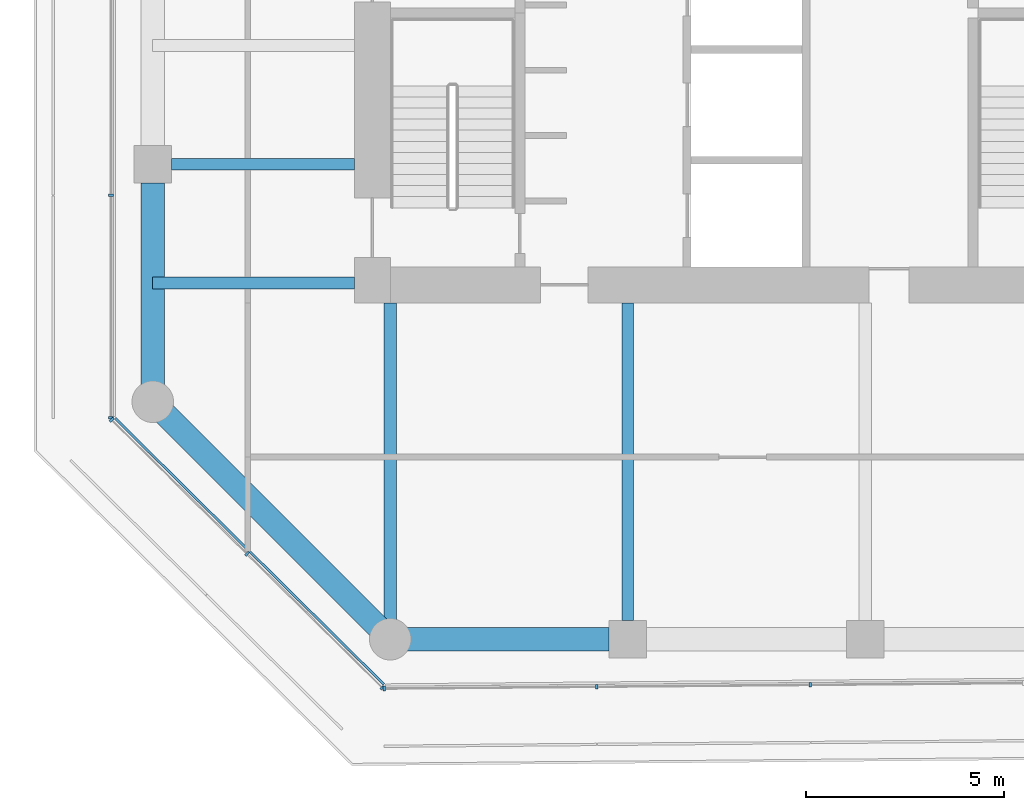
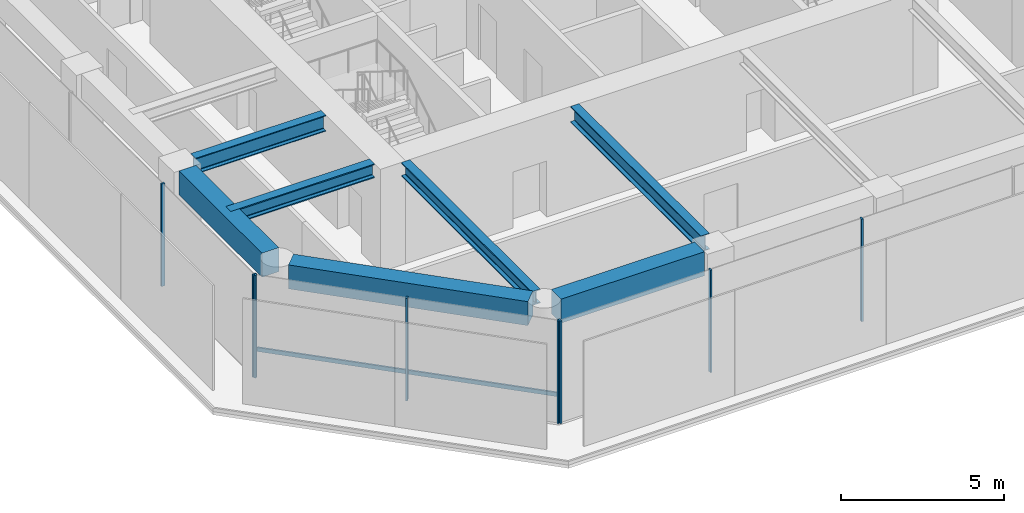
# One storey, part 2 of 28: 9 members, 7 beams, 3 elements without a shape of their own.
"""IFC4 building model written with IfcOpenShell, lengths in metres."""

from ifc_helpers import new_model, si_unit, direction, frame, origin, origin_2d, place, context, subcontext, project, spatial, rectangle, i_section, extrude, material, layer, layer_set, material_profile, profile_set, type_object, element, aggregate, save


model = new_model("IFC4")

# Units and contexts
model_context = context("Model", 3, precision=1e-05, world=origin(), true_north=direction((0.0, 1.0)))
body_context = subcontext(model_context, "Body", "Model", "MODEL_VIEW")
ifc_project = project(units=[si_unit("LENGTHUNIT", "METRE"), si_unit("AREAUNIT", "SQUARE_METRE"), si_unit("VOLUMEUNIT", "CUBIC_METRE"), si_unit("PLANEANGLEUNIT", "RADIAN"), si_unit("MASSUNIT", "GRAM", prefix="KILO")], contexts=[model_context])

# Site, building, storey
site_placement = place(None, origin())
site = spatial("IfcSite", under=ifc_project, at=site_placement, CompositionType="ELEMENT")
building_placement = place(site_placement, origin())
building = spatial("IfcBuilding", under=site, at=building_placement, Name="Welwitschia Terrace Campus", CompositionType="ELEMENT")
storey_placement = place(building_placement, frame((0.0, 0.0, 54.199951171875)))
storey = spatial("IfcBuildingStorey", under=building, at=storey_placement, Name="L12", CompositionType="ELEMENT", Elevation=54.199951171875)

# Beams
ifc_material_1 = material(Name="Steel S355", Category="steel")
ifc_material_profile_1 = material_profile(ifc_material_1, i_section(OverallWidth=0.305908203125, OverallDepth=0.52392578125, WebThickness=0.02099609375, FlangeThickness=0.0400390625, FilletRadius=0.027099609375, at=origin_2d()))
ifc_profile_set_1 = profile_set([ifc_material_profile_1], Name="Steel S355")
beam_type_1 = type_object("IfcBeamType", Name="Interior girder HE 500 M", PredefinedType="BEAM", material=ifc_profile_set_1)
beam_1_placement = place(storey_placement, frame((-0.010009765625, 5.0, 3.588134765625), z_axis=(1.0, 0.0, 0.0), x_axis=(0.0, 1.0, 0.0)))
element("IfcBeam", 1, at=beam_1_placement, inside=storey, type_object=beam_type_1, Name="Girder GB2", PredefinedType="BEAM", context=body_context, shape_type="SweptSolid", body=[
    extrude(i_section(OverallWidth=0.305908203125, OverallDepth=0.52392578125, WebThickness=0.02099609375, FlangeThickness=0.0400390625, FilletRadius=0.027099609375, at=origin_2d()), origin(), (0.0, 0.0, 1.0), 5.109130859375),
])
beam_2_placement = place(storey_placement, frame((6.0, -3.507080078125, 3.588134765625), z_axis=(0.0, 1.0, 0.0), x_axis=(-1.0, 0.0, 0.0)))
element("IfcBeam", 2, at=beam_2_placement, inside=storey, type_object=beam_type_1, Name="Girder GB2", PredefinedType="BEAM", context=body_context, shape_type="SweptSolid", body=[
    extrude(i_section(OverallWidth=0.305908203125, OverallDepth=0.52392578125, WebThickness=0.02099609375, FlangeThickness=0.0400390625, FilletRadius=0.027099609375, at=origin_2d()), origin(), (0.0, 0.0, 1.0), 8.006103515625),
])

# Curtain wall, members
ifc_material_2 = material(Name="Bronze anodised aluminium", Category="aluminium")
ifc_layer = layer(ifc_material_2, 0.1201171875)
ifc_layer_set = layer_set([ifc_layer], Name="Bronze anodised aluminium")
curtain_wall_type = type_object("IfcCurtainWallType", Name="Curtain wall CW2 tower 6000", PredefinedType="NOTDEFINED", material=ifc_layer_set)
curtain_wall_1_placement = place(storey_placement, origin())
curtain_wall_1 = element("IfcCurtainWall", 3, at=curtain_wall_1_placement, inside=storey, type_object=curtain_wall_type, Name="CW L12.1.0", PredefinedType="NOTDEFINED")
ifc_material_3 = material(Name="Bronze anodised aluminium", Category="aluminium")
ifc_material_profile_2 = material_profile(ifc_material_3, rectangle(XDim=0.1201171875, YDim=0.06005859375, at=origin_2d()))
ifc_profile_set_2 = profile_set([ifc_material_profile_2], Name="Bronze anodised aluminium")
member_type_1 = type_object("IfcMemberType", Name="Mullion 60x120", PredefinedType="MULLION", material=ifc_profile_set_2)
member_1_placement = place(storey_placement, frame((-1.05810546875, 7.211669921875, 0.0), z_axis=(0.0, 0.0, 1.0), x_axis=(1.0, 0.0, 0.0)))
member_1 = element("IfcMember", 4, at=member_1_placement, type_object=member_type_1, Name="Mullion L12.1.0.3", PredefinedType="MULLION", context=body_context, shape_type="SweptSolid", body=[
    extrude(rectangle(XDim=0.1201171875, YDim=0.06005859375, at=origin_2d()), origin(), (0.0, 0.0, 1.0), 3.85009765625),
])
member_2_placement = place(storey_placement, frame((-1.05810546875, 1.591552734375, 0.0), z_axis=(0.0, 0.0, 1.0), x_axis=(1.0, 0.0, 0.0)))
member_2 = element("IfcMember", 5, at=member_2_placement, type_object=member_type_1, Name="Mullion L12.1.0.4", PredefinedType="MULLION", context=body_context, shape_type="SweptSolid", body=[
    extrude(rectangle(XDim=0.1201171875, YDim=0.06005859375, at=origin_2d()), origin(), (0.0, 0.0, 1.0), 3.85009765625),
])
aggregate(curtain_wall_1, [member_1, member_2])

curtain_wall_2_placement = place(storey_placement, origin())
curtain_wall_2 = element("IfcCurtainWall", 6, at=curtain_wall_2_placement, inside=storey, type_object=curtain_wall_type, Name="CW L12.2.0", PredefinedType="NOTDEFINED")
member_3_placement = place(storey_placement, frame((-1.03662109375, 1.54052734375, 0.0), z_axis=(0.0, 0.0, 1.0), x_axis=(0.703551862731, 0.710643916774, 0.0)))
member_3 = element("IfcMember", 7, at=member_3_placement, type_object=member_type_1, Name="Mullion L12.2.0.0", PredefinedType="MULLION", context=body_context, shape_type="SweptSolid", body=[
    extrude(rectangle(XDim=0.1201171875, YDim=0.06005859375, at=origin_2d()), origin(), (0.0, 0.0, 1.0), 3.85009765625),
])
member_4_placement = place(storey_placement, frame((2.38037109375, -1.84228515625, 0.0), z_axis=(0.0, 0.0, 1.0), x_axis=(0.703551862731, 0.710643916774, 0.0)))
member_4 = element("IfcMember", 8, at=member_4_placement, type_object=member_type_1, Name="Mullion L12.2.0.1", PredefinedType="MULLION", context=body_context, shape_type="SweptSolid", body=[
    extrude(rectangle(XDim=0.1201171875, YDim=0.06005859375, at=origin_2d()), origin(), (0.0, 0.0, 1.0), 3.85009765625),
])
member_5_placement = place(storey_placement, frame((5.797119140625, -5.22509765625, 0.0), z_axis=(0.0, 0.0, 1.0), x_axis=(0.703551862731, 0.710643916774, 0.0)))
member_5 = element("IfcMember", 9, at=member_5_placement, type_object=member_type_1, Name="Mullion L12.2.0.2", PredefinedType="MULLION", context=body_context, shape_type="SweptSolid", body=[
    extrude(rectangle(XDim=0.1201171875, YDim=0.06005859375, at=origin_2d()), origin(), (0.0, 0.0, 1.0), 3.85009765625),
])

curtain_wall_3_placement = place(storey_placement, origin())
curtain_wall_3 = element("IfcCurtainWall", 10, at=curtain_wall_3_placement, inside=storey, type_object=curtain_wall_type, Name="CW L12.3.0", PredefinedType="NOTDEFINED")
member_6_placement = place(storey_placement, frame((5.8486328125, -5.24609375, 0.0), z_axis=(0.0, 0.0, 1.0), x_axis=(-0.008726535498, 0.999961923064, 0.0)))
member_6 = element("IfcMember", 11, at=member_6_placement, type_object=member_type_1, Name="Mullion L12.3.0.0", PredefinedType="MULLION", context=body_context, shape_type="SweptSolid", body=[
    extrude(rectangle(XDim=0.1201171875, YDim=0.06005859375, at=origin_2d()), origin(), (0.0, 0.0, 1.0), 3.85009765625),
])
member_7_placement = place(storey_placement, frame((11.213134765625, -5.19921875, 0.0), z_axis=(0.0, 0.0, 1.0), x_axis=(-0.008726535498, 0.999961923064, 0.0)))
member_7 = element("IfcMember", 12, at=member_7_placement, type_object=member_type_1, Name="Mullion L12.3.0.1", PredefinedType="MULLION", context=body_context, shape_type="SweptSolid", body=[
    extrude(rectangle(XDim=0.1201171875, YDim=0.06005859375, at=origin_2d()), origin(), (0.0, 0.0, 1.0), 3.85009765625),
])
member_8_placement = place(storey_placement, frame((16.607421875, -5.152099609375, 0.0), z_axis=(0.0, 0.0, 1.0), x_axis=(-0.008726535498, 0.999961923064, 0.0)))
member_8 = element("IfcMember", 13, at=member_8_placement, type_object=member_type_1, Name="Mullion L12.3.0.2", PredefinedType="MULLION", context=body_context, shape_type="SweptSolid", body=[
    extrude(rectangle(XDim=0.1201171875, YDim=0.06005859375, at=origin_2d()), origin(), (0.0, 0.0, 1.0), 3.85009765625),
])
aggregate(curtain_wall_3, [member_6, member_7, member_8])

# Beams
ifc_material_4 = material(Name="Steel S355", Category="steel")
ifc_material_profile_3 = material_profile(ifc_material_4, i_section(OverallWidth=0.300048828125, OverallDepth=0.60009765625, WebThickness=0.015380859375, FlangeThickness=0.030029296875, FilletRadius=0.027099609375, at=origin_2d()))
ifc_profile_set_3 = profile_set([ifc_material_profile_3], Name="Steel S355")
beam_type_2 = type_object("IfcBeamType", Name="Primary beam HE 600 B", PredefinedType="BEAM", material=ifc_profile_set_3)
beam_3_placement = place(storey_placement, frame((12.0, -3.5244140625, 3.550048828125), z_axis=(0.0, 1.0, 0.0), x_axis=(-1.0, 0.0, 0.0)))
element("IfcBeam", 14, at=beam_3_placement, inside=storey, type_object=beam_type_2, Name="Primary beam PB2", PredefinedType="BEAM", context=body_context, shape_type="SweptSolid", body=[
    extrude(i_section(OverallWidth=0.300048828125, OverallDepth=0.60009765625, WebThickness=0.015380859375, FlangeThickness=0.030029296875, FilletRadius=0.027099609375, at=origin_2d()), origin(), (0.0, 0.0, 1.0), 8.0244140625),
])
beam_4_placement = place(storey_placement, frame((0.4755859375, 8.0, 3.550048828125), z_axis=(1.0, 0.0, 0.0), x_axis=(0.0, 1.0, 0.0)))
element("IfcBeam", 15, at=beam_4_placement, inside=storey, type_object=beam_type_2, Name="Primary beam PB2", PredefinedType="BEAM", context=body_context, shape_type="SweptSolid", body=[
    extrude(i_section(OverallWidth=0.300048828125, OverallDepth=0.60009765625, WebThickness=0.015380859375, FlangeThickness=0.030029296875, FilletRadius=0.027099609375, at=origin_2d()), origin(), (0.0, 0.0, 1.0), 4.62451171875),
])
ifc_material_5 = material(Name="Concrete C60/75", Category="concrete")
ifc_material_profile_4 = material_profile(ifc_material_5, rectangle(XDim=0.60009765625, YDim=0.89990234375, at=origin_2d()))
ifc_profile_set_4 = profile_set([ifc_material_profile_4], Name="Concrete C60/75")
beam_type_3 = type_object("IfcBeamType", Name="Ring spandrel 600x900", PredefinedType="SPANDREL", material=ifc_profile_set_4)
beam_5_placement = place(storey_placement, frame((0.30517578125, 1.69482421875, 3.400146484375), z_axis=(0.707106781187, -0.707106781187, 0.0), x_axis=(0.707106781187, 0.707106781187, 0.0)))
element("IfcBeam", 16, at=beam_5_placement, inside=storey, type_object=beam_type_3, Name="Spandrel SP2", PredefinedType="SPANDREL", context=body_context, shape_type="SweptSolid", body=[
    extrude(rectangle(XDim=0.60009765625, YDim=0.89990234375, at=origin_2d()), origin(), (0.0, 0.0, 1.0), 7.6220703125),
])
for number, where, z_axis, x_axis, name in (
    (17, (6.431396484375, -4.0, 3.400146484375), (1.0, 0.0, 0.0), (0.0, 1.0, 0.0), "Spandrel SP2"),
    (18, (0.0, 7.5244140625, 3.400146484375), (0.0, -1.0, 0.0), (1.0, 0.0, 0.0), "Spandrel SP2"),
):
    element("IfcBeam", number, at=place(storey_placement, frame(where, z_axis=z_axis, x_axis=x_axis)), inside=storey, type_object=beam_type_3, Name=name, PredefinedType="SPANDREL", context=body_context, shape_type="SweptSolid", body=[
        extrude(rectangle(XDim=0.60009765625, YDim=0.89990234375, at=origin_2d()), origin(), (0.0, 0.0, 1.0), 5.093017578125),
    ])

# Member
ifc_material_6 = material(Name="Bronze anodised aluminium", Category="aluminium")
ifc_material_profile_5 = material_profile(ifc_material_6, rectangle(XDim=0.06005859375, YDim=0.14990234375, at=origin_2d()))
ifc_profile_set_5 = profile_set([ifc_material_profile_5], Name="Bronze anodised aluminium")
member_type_2 = type_object("IfcMemberType", Name="Transom 60x150", PredefinedType="USERDEFINED", material=ifc_profile_set_5)
member_9_placement = place(storey_placement, frame((-0.9521484375, 1.583251953125, 1.0), z_axis=(0.710648937597, -0.70354679126, 0.0), x_axis=(0.70354679126, 0.710648937597, 0.0)))
member_9 = element("IfcMember", 19, at=member_9_placement, type_object=member_type_2, Name="Transom L12.2.0", ObjectType="TRANSOM", PredefinedType="USERDEFINED", context=body_context, shape_type="SweptSolid", body=[
    extrude(rectangle(XDim=0.06005859375, YDim=0.14990234375, at=origin_2d()), origin(), (0.0, 0.0, 1.0), 9.556396484375),
])

aggregate(curtain_wall_2, [member_3, member_4, member_5, member_9])

save(model, "model.ifc")
